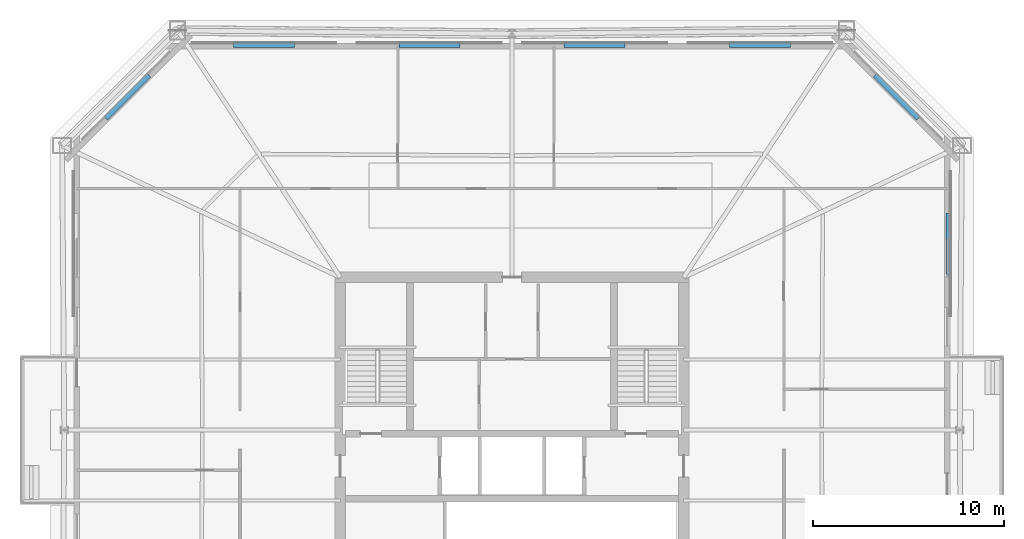
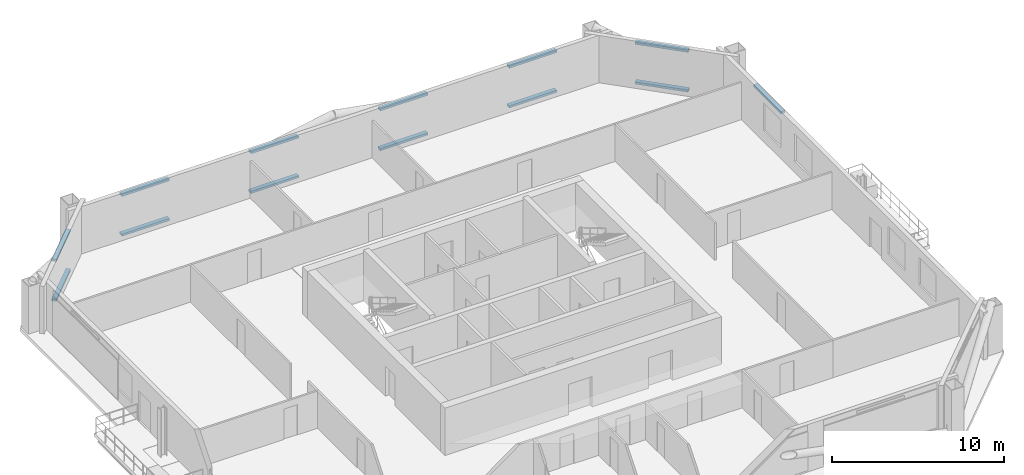
# One storey, part 5 of 8: 13 discrete accessories.
"""IFC4 building model written with IfcOpenShell, lengths in metres."""

from ifc_helpers import new_model, si_unit, direction, frame, origin, origin_2d, place, context, subcontext, project, spatial, rectangle, extrude, material, type_object, element, save


model = new_model("IFC4")

# Units and contexts
model_context = context("Model", 3, precision=1e-05, world=origin(), true_north=direction((0.0, 1.0)))
body_context = subcontext(model_context, "Body", "Model", "MODEL_VIEW")
ifc_project = project(units=[si_unit("LENGTHUNIT", "METRE"), si_unit("AREAUNIT", "SQUARE_METRE"), si_unit("VOLUMEUNIT", "CUBIC_METRE"), si_unit("PLANEANGLEUNIT", "RADIAN"), si_unit("MASSUNIT", "GRAM", prefix="KILO")], contexts=[model_context])

# Site, building, storey
site_placement = place(None, origin())
site = spatial("IfcSite", under=ifc_project, at=site_placement, CompositionType="ELEMENT")
building_placement = place(site_placement, origin())
building = spatial("IfcBuilding", under=site, at=building_placement, Name="Caelvoria Tower", CompositionType="ELEMENT")
storey_placement = place(building_placement, frame((0.0, 0.0, 138.39990234375)))
storey = spatial("IfcBuildingStorey", under=building, at=storey_placement, Name="L36", CompositionType="ELEMENT", Elevation=138.39990234375)

# Discrete accessories
ifc_material = material(Name="Anodised Bronze Stainless Bracket", Category="bronze")
discrete_accessory_type = type_object("IfcDiscreteAccessoryType", Name="Solar Screen Outrigger Support Bracket", PredefinedType="BRACKET", material=ifc_material)
for number, where, z_axis, x_axis, name in (
    (1, (68.89697265625, 41.760009765625, 3.06005859375), (0.0, 0.0, 1.0), (0.0, 1.0, 0.0), "Upper Screen Band Bracket L36-E2-02"),
    (2, (66.1787109375, 49.478515625, 0.240234375), (0.0, 0.0, 1.0), (-0.707106781187, 0.707106781187, 0.0), "Solar Screen Bracket L36-E3-00"),
    (3, (66.1787109375, 49.478515625, 3.06005859375), (0.0, 0.0, 1.0), (-0.707106781187, 0.707106781187, 0.0), "Upper Screen Band Bracket L36-E3-00"),
    (4, (59.0048828125, 52.197021484375, 0.240234375), (0.0, 0.0, 1.0), (-1.0, 0.0, 0.0), "Solar Screen Bracket L36-E4-00"),
    (5, (59.0048828125, 52.197021484375, 3.06005859375), (0.0, 0.0, 1.0), (-1.0, 0.0, 0.0), "Upper Screen Band Bracket L36-E4-00"),
    (6, (50.3349609375, 52.197021484375, 0.240234375), (0.0, 0.0, 1.0), (-1.0, 0.0, 0.0), "Solar Screen Bracket L36-E4-01"),
    (7, (50.3349609375, 52.197021484375, 3.06005859375), (0.0, 0.0, 1.0), (-1.0, 0.0, 0.0), "Upper Screen Band Bracket L36-E4-01"),
    (8, (41.6650390625, 52.197021484375, 0.240234375), (0.0, 0.0, 1.0), (-1.0, 0.0, 0.0), "Solar Screen Bracket L36-E4-02"),
    (9, (41.6650390625, 52.197021484375, 3.06005859375), (0.0, 0.0, 1.0), (-1.0, 0.0, 0.0), "Upper Screen Band Bracket L36-E4-02"),
    (10, (32.9951171875, 52.197021484375, 0.240234375), (0.0, 0.0, 1.0), (-1.0, 0.0, 0.0), "Solar Screen Bracket L36-E4-03"),
    (11, (32.9951171875, 52.197021484375, 3.06005859375), (0.0, 0.0, 1.0), (-1.0, 0.0, 0.0), "Upper Screen Band Bracket L36-E4-03"),
    (12, (25.8212890625, 49.478515625, 0.240234375), (0.0, 0.0, 1.0), (-0.707106781187, -0.707106781187, 0.0), "Solar Screen Bracket L36-E5-00"),
    (13, (25.8212890625, 49.478515625, 3.06005859375), (0.0, 0.0, 1.0), (-0.707106781187, -0.707106781187, 0.0), "Upper Screen Band Bracket L36-E5-00"),
):
    element("IfcDiscreteAccessory", number, at=place(storey_placement, frame(where, z_axis=z_axis, x_axis=x_axis)), inside=storey, type_object=discrete_accessory_type, Name=name, PredefinedType="BRACKET", context=body_context, shape_type="SweptSolid", body=[
        extrude(rectangle(XDim=3.199951171875, YDim=0.280029296875, at=origin_2d()), origin(), (0.0, 0.0, 1.0), 0.159912109375),
    ])

save(model, "model.ifc")
